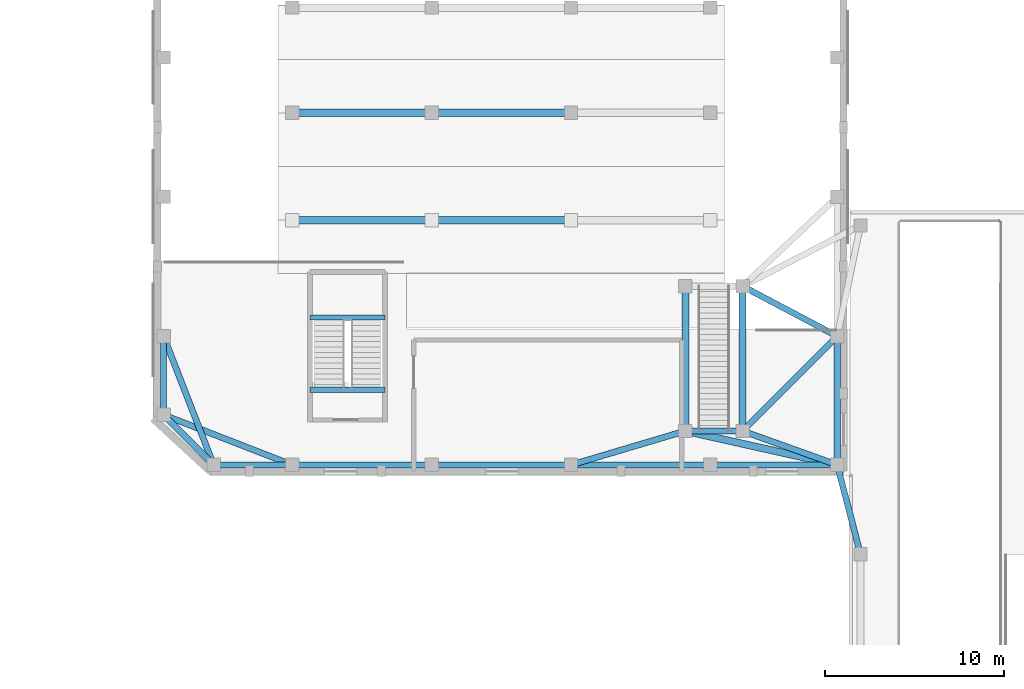
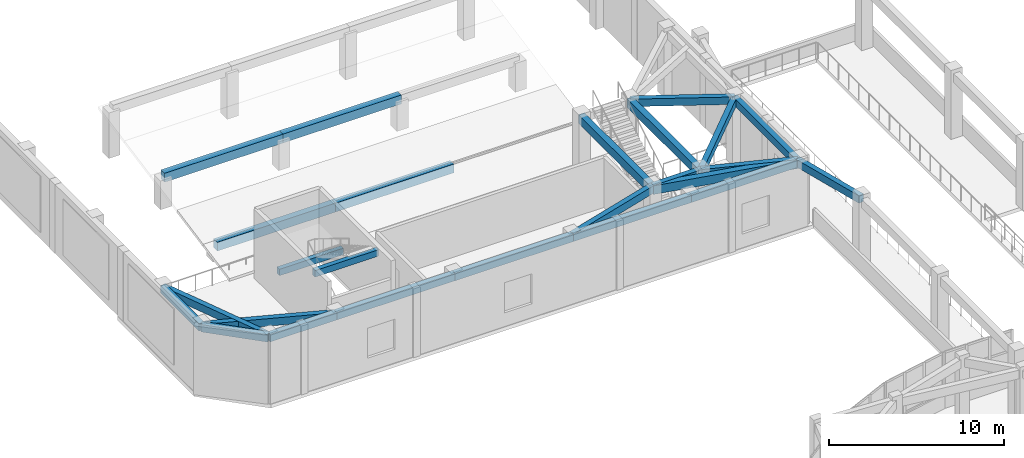
# One storey, part 30 of 98: 25 beams.
"""IFC4 building model written with IfcOpenShell, lengths in metres."""

from ifc_helpers import new_model, si_unit, direction, frame, origin, origin_2d, place, context, subcontext, project, spatial, rectangle, extrude, material, material_profile, profile_set, type_object, element, save


model = new_model("IFC4")

# Units and contexts
model_context = context("Model", 3, precision=1e-05, world=origin(), true_north=direction((0.0, 1.0)))
body_context = subcontext(model_context, "Body", "Model", "MODEL_VIEW")
ifc_project = project(units=[si_unit("LENGTHUNIT", "METRE"), si_unit("AREAUNIT", "SQUARE_METRE"), si_unit("VOLUMEUNIT", "CUBIC_METRE"), si_unit("PLANEANGLEUNIT", "RADIAN"), si_unit("MASSUNIT", "GRAM", prefix="KILO")], contexts=[model_context])

# Site, building, storey
site_placement = place(None, origin())
site = spatial("IfcSite", under=ifc_project, at=site_placement, CompositionType="ELEMENT")
building_placement = place(site_placement, origin())
building = spatial("IfcBuilding", under=site, at=building_placement, Name="Pelvatis Terrace Science Centre", CompositionType="ELEMENT")
storey_placement = place(building_placement, frame((0.0, 0.0, 5.39990234375)))
storey = spatial("IfcBuildingStorey", under=building, at=storey_placement, Name="L01", CompositionType="ELEMENT", Elevation=5.39990234375)

# Beams
ifc_material_1 = material(Name="Concrete C35/45", Category="concrete")
ifc_material_profile_1 = material_profile(ifc_material_1, rectangle(XDim=0.300048828125, YDim=0.449951171875, at=origin_2d()), Name="RC-BM 300x450")
ifc_profile_set_1 = profile_set([ifc_material_profile_1], Name="Concrete C35/45")
beam_type_1 = type_object("IfcBeamType", Name="BM-RC-300x450", PredefinedType="BEAM", material=ifc_profile_set_1)
for number, where, z_axis, x_axis, name in (
    (1, (16.60009765625, 75.0, 4.320068359375), (1.0, 0.0, 0.0), (0.0, 1.0, 0.0), "Stair ST-07 header beam (L01)"),
    (2, (16.60009765625, 79.050048828125, 1.960205078125), (1.0, 0.0, 0.0), (0.0, 1.0, 0.0), "Stair ST-07 half-landing beam (L01)"),
):
    element("IfcBeam", number, at=place(storey_placement, frame(where, z_axis=z_axis, x_axis=x_axis)), inside=storey, type_object=beam_type_1, Name=name, PredefinedType="BEAM", context=body_context, shape_type="SweptSolid", body=[
        extrude(rectangle(XDim=0.300048828125, YDim=0.449951171875, at=origin_2d()), origin(), (0.0, 0.0, 1.0), 4.199951171875),
    ])
ifc_material_2 = material(Name="Concrete C35/45", Category="concrete")
ifc_material_profile_2 = material_profile(ifc_material_2, rectangle(XDim=0.340087890625, YDim=0.52001953125, at=origin_2d()), Name="RC-BM 340x520")
ifc_profile_set_2 = profile_set([ifc_material_profile_2], Name="Concrete C35/45")
beam_type_2 = type_object("IfcBeamType", Name="BM-RC-340x520", PredefinedType="BEAM", material=ifc_profile_set_2)
beam_1_placement = place(storey_placement, frame((11.199951171875, 70.800048828125, 4.280029296875), z_axis=(-0.362453886512, 0.932001706089, 0.0), x_axis=(-0.932001706089, -0.362453886512, 0.0)))
element("IfcBeam", 3, at=beam_1_placement, inside=storey, type_object=beam_type_2, Name="Beam BM-L01-2602", PredefinedType="BEAM", context=body_context, shape_type="SweptSolid", body=[
    extrude(rectangle(XDim=0.340087890625, YDim=0.52001953125, at=origin_2d()), origin(), (0.0, 0.0, 1.0), 7.725341796875),
])
beam_2_placement = place(storey_placement, frame((11.199951171875, 70.800048828125, 4.280029296875), z_axis=(1.0, 0.0, 0.0), x_axis=(0.0, 1.0, 0.0)))
element("IfcBeam", 4, at=beam_2_placement, inside=storey, type_object=beam_type_2, Name="Beam BM-L01-2603", PredefinedType="BEAM", context=body_context, shape_type="SweptSolid", body=[
    extrude(rectangle(XDim=0.340087890625, YDim=0.52001953125, at=origin_2d()), origin(), (0.0, 0.0, 1.0), 4.400146484375),
])
beam_3_placement = place(storey_placement, frame((11.199951171875, 70.800048828125, 4.280029296875), z_axis=(-0.707106781187, 0.707106781187, 0.0), x_axis=(-0.707106781187, -0.707106781187, 0.0)))
element("IfcBeam", 5, at=beam_3_placement, inside=storey, type_object=beam_type_2, Name="Beam BM-L01-2604", PredefinedType="BEAM", context=body_context, shape_type="SweptSolid", body=[
    extrude(rectangle(XDim=0.340087890625, YDim=0.52001953125, at=origin_2d()), origin(), (0.0, 0.0, 1.0), 3.9599609375),
])
beam_4_placement = place(storey_placement, frame((8.39990234375, 78.0, 4.280029296875), z_axis=(0.0, -1.0, 0.0), x_axis=(1.0, 0.0, 0.0)))
element("IfcBeam", 6, at=beam_4_placement, inside=storey, type_object=beam_type_2, Name="Beam BM-L01-2605", PredefinedType="BEAM", context=body_context, shape_type="SweptSolid", body=[
    extrude(rectangle(XDim=0.340087890625, YDim=0.52001953125, at=origin_2d()), origin(), (0.0, 0.0, 1.0), 4.39990234375),
])
beam_5_placement = place(storey_placement, frame((15.60009765625, 70.800048828125, 4.280029296875), z_axis=(1.0, 0.0, 0.0), x_axis=(0.0, 1.0, 0.0)))
element("IfcBeam", 7, at=beam_5_placement, inside=storey, type_object=beam_type_2, Name="Beam BM-L01-2606", PredefinedType="BEAM", context=body_context, shape_type="SweptSolid", body=[
    extrude(rectangle(XDim=0.340087890625, YDim=0.52001953125, at=origin_2d()), origin(), (0.0, 0.0, 1.0), 7.7998046875),
])
beam_6_placement = place(storey_placement, frame((15.60009765625, 70.800048828125, 4.280029296875), z_axis=(-0.93200585767, 0.362443211095, 0.0), x_axis=(-0.362443211095, -0.93200585767, 0.0)))
element("IfcBeam", 8, at=beam_6_placement, inside=storey, type_object=beam_type_2, Name="Beam BM-L01-2607", PredefinedType="BEAM", context=body_context, shape_type="SweptSolid", body=[
    extrude(rectangle(XDim=0.340087890625, YDim=0.52001953125, at=origin_2d()), origin(), (0.0, 0.0, 1.0), 7.7255859375),
])
for number, where, z_axis, x_axis, name in (
    (9, (23.39990234375, 70.800048828125, 4.280029296875), (1.0, 0.0, 0.0), (0.0, 1.0, 0.0), "Beam BM-L01-2608"),
    (10, (31.199951171875, 70.800048828125, 4.280029296875), (1.0, 0.0, 0.0), (0.0, 1.0, 0.0), "Beam BM-L01-2609"),
):
    element("IfcBeam", number, at=place(storey_placement, frame(where, z_axis=z_axis, x_axis=x_axis)), inside=storey, type_object=beam_type_2, Name=name, PredefinedType="BEAM", context=body_context, shape_type="SweptSolid", body=[
        extrude(rectangle(XDim=0.340087890625, YDim=0.52001953125, at=origin_2d()), origin(), (0.0, 0.0, 1.0), 7.800048828125),
    ])
beam_7_placement = place(storey_placement, frame((31.199951171875, 70.800048828125, 4.280029296875), z_axis=(0.958652634066, 0.284578859367, 0.0), x_axis=(-0.284578859367, 0.958652634066, 0.0)))
element("IfcBeam", 11, at=beam_7_placement, inside=storey, type_object=beam_type_2, Name="Beam BM-L01-2610", PredefinedType="BEAM", context=body_context, shape_type="SweptSolid", body=[
    extrude(rectangle(XDim=0.340087890625, YDim=0.52001953125, at=origin_2d()), origin(), (0.0, 0.0, 1.0), 6.67626953125),
])
beam_8_placement = place(storey_placement, frame((39.0, 70.800048828125, 4.280029296875), z_axis=(1.0, 0.0, 0.0), x_axis=(0.0, 1.0, 0.0)))
element("IfcBeam", 12, at=beam_8_placement, inside=storey, type_object=beam_type_2, Name="Beam BM-L01-2611", PredefinedType="BEAM", context=body_context, shape_type="SweptSolid", body=[
    extrude(rectangle(XDim=0.340087890625, YDim=0.52001953125, at=origin_2d()), origin(), (0.0, 0.0, 1.0), 7.10009765625),
])
beam_9_placement = place(storey_placement, frame((46.10009765625, 70.800048828125, 4.280029296875), z_axis=(0.0, 1.0, 0.0), x_axis=(-1.0, 0.0, 0.0)))
element("IfcBeam", 13, at=beam_9_placement, inside=storey, type_object=beam_type_2, Name="Beam BM-L01-2612", PredefinedType="BEAM", context=body_context, shape_type="SweptSolid", body=[
    extrude(rectangle(XDim=0.340087890625, YDim=0.52001953125, at=origin_2d()), origin(), (0.0, 0.0, 1.0), 7.199951171875),
])
beam_10_placement = place(storey_placement, frame((46.10009765625, 70.800048828125, 4.280029296875), z_axis=(0.251598439526, -0.967831713279, 0.0), x_axis=(0.967831713279, 0.251598439526, 0.0)))
element("IfcBeam", 14, at=beam_10_placement, inside=storey, type_object=beam_type_2, Name="Beam BM-L01-2613", PredefinedType="BEAM", context=body_context, shape_type="SweptSolid", body=[
    extrude(rectangle(XDim=0.340087890625, YDim=0.52001953125, at=origin_2d()), origin(), (0.0, 0.0, 1.0), 5.166259765625),
])
beam_11_placement = place(storey_placement, frame((46.10009765625, 70.800048828125, 4.280029296875), z_axis=(-0.941345901444, 0.337443171267, 0.0), x_axis=(-0.337443171267, -0.941345901444, 0.0)))
element("IfcBeam", 15, at=beam_11_placement, inside=storey, type_object=beam_type_2, Name="Beam BM-L01-2615", PredefinedType="BEAM", context=body_context, shape_type="SweptSolid", body=[
    extrude(rectangle(XDim=0.340087890625, YDim=0.52001953125, at=origin_2d()), origin(), (0.0, 0.0, 1.0), 5.63037109375),
])
beam_12_placement = place(storey_placement, frame((46.10009765625, 78.0, 4.280029296875), z_axis=(-0.707106781187, -0.707106781187, 0.0), x_axis=(0.707106781187, -0.707106781187, 0.0)))
element("IfcBeam", 16, at=beam_12_placement, inside=storey, type_object=beam_type_2, Name="Beam BM-L01-2618", PredefinedType="BEAM", context=body_context, shape_type="SweptSolid", body=[
    extrude(rectangle(XDim=0.340087890625, YDim=0.52001953125, at=origin_2d()), origin(), (0.0, 0.0, 1.0), 7.495361328125),
])
beam_13_placement = place(storey_placement, frame((46.10009765625, 78.0, 4.280029296875), z_axis=(-0.884191797067, 0.467124037061, 0.0), x_axis=(-0.467124037061, -0.884191797067, 0.0)))
element("IfcBeam", 17, at=beam_13_placement, inside=storey, type_object=beam_type_2, Name="Beam BM-L01-2619", PredefinedType="BEAM", context=body_context, shape_type="SweptSolid", body=[
    extrude(rectangle(XDim=0.340087890625, YDim=0.52001953125, at=origin_2d()), origin(), (0.0, 0.0, 1.0), 5.994140625),
])
beam_14_placement = place(storey_placement, frame((37.60009765625, 72.699951171875, 4.280029296875), z_axis=(1.0, 0.0, 0.0), x_axis=(0.0, 1.0, 0.0)))
element("IfcBeam", 18, at=beam_14_placement, inside=storey, type_object=beam_type_2, Name="Beam BM-L01-2841", PredefinedType="BEAM", context=body_context, shape_type="SweptSolid", body=[
    extrude(rectangle(XDim=0.340087890625, YDim=0.52001953125, at=origin_2d()), origin(), (0.0, 0.0, 1.0), 3.199951171875),
])
ifc_material_3 = material(Name="Concrete C35/45", Category="concrete")
ifc_material_profile_3 = material_profile(ifc_material_3, rectangle(XDim=0.39990234375, YDim=0.60009765625, at=origin_2d()), Name="RC-BM 400x600")
ifc_profile_set_3 = profile_set([ifc_material_profile_3], Name="Concrete C35/45")
beam_type_3 = type_object("IfcBeamType", Name="BM-RC-400x600", PredefinedType="BEAM", material=ifc_profile_set_3)
beam_15_placement = place(storey_placement, frame((46.10009765625, 70.800048828125, 4.239990234375), z_axis=(-0.975918540379, 0.218135284962, 0.0), x_axis=(-0.218135284962, -0.975918540379, 0.0)))
element("IfcBeam", 19, at=beam_15_placement, inside=storey, type_object=beam_type_3, Name="Beam BM-L01-2614", PredefinedType="BEAM", context=body_context, shape_type="SweptSolid", body=[
    extrude(rectangle(XDim=0.39990234375, YDim=0.60009765625, at=origin_2d()), origin(), (0.0, 0.0, 1.0), 8.709716796875),
])
for number, where, z_axis, x_axis, name in (
    (20, (37.60009765625, 72.699951171875, 4.239990234375), (0.0, 1.0, 0.0), (-1.0, 0.0, 0.0), "Beam BM-L01-2842"),
    (21, (40.800048828125, 72.699951171875, 4.239990234375), (0.0, 1.0, 0.0), (-1.0, 0.0, 0.0), "Beam BM-L01-2843"),
):
    element("IfcBeam", number, at=place(storey_placement, frame(where, z_axis=z_axis, x_axis=x_axis)), inside=storey, type_object=beam_type_3, Name=name, PredefinedType="BEAM", context=body_context, shape_type="SweptSolid", body=[
        extrude(rectangle(XDim=0.39990234375, YDim=0.60009765625, at=origin_2d()), origin(), (0.0, 0.0, 1.0), 8.10009765625),
    ])
ifc_material_4 = material(Name="Concrete C35/45", Category="concrete")
ifc_material_profile_4 = material_profile(ifc_material_4, rectangle(XDim=0.419921875, YDim=0.6201171875, at=origin_2d()), Name="RC-BM 420x620")
ifc_profile_set_4 = profile_set([ifc_material_profile_4], Name="Concrete C35/45")
beam_type_4 = type_object("IfcBeamType", Name="BM-RC-420x620", PredefinedType="BEAM", material=ifc_profile_set_4)
beam_16_placement = place(storey_placement, frame((15.60009765625, 84.5, 0.840087890625), z_axis=(1.0, 0.0, 0.0), x_axis=(0.0, 1.0, 0.0)))
element("IfcBeam", 22, at=beam_16_placement, inside=storey, type_object=beam_type_4, Name="Science Theatre tier support girder 1.1", PredefinedType="BEAM", context=body_context, shape_type="SweptSolid", body=[
    extrude(rectangle(XDim=0.419921875, YDim=0.6201171875, at=origin_2d()), origin(), (0.0, 0.0, 1.0), 7.7998046875),
])
beam_17_placement = place(storey_placement, frame((23.39990234375, 84.5, 0.840087890625), z_axis=(1.0, 0.0, 0.0), x_axis=(0.0, 1.0, 0.0)))
element("IfcBeam", 23, at=beam_17_placement, inside=storey, type_object=beam_type_4, Name="Science Theatre tier support girder 1.2", PredefinedType="BEAM", context=body_context, shape_type="SweptSolid", body=[
    extrude(rectangle(XDim=0.419921875, YDim=0.6201171875, at=origin_2d()), origin(), (0.0, 0.0, 1.0), 7.800048828125),
])
beam_18_placement = place(storey_placement, frame((15.60009765625, 90.5, 2.010009765625), z_axis=(1.0, 0.0, 0.0), x_axis=(0.0, 1.0, 0.0)))
element("IfcBeam", 24, at=beam_18_placement, inside=storey, type_object=beam_type_4, Name="Science Theatre tier support girder 2.1", PredefinedType="BEAM", context=body_context, shape_type="SweptSolid", body=[
    extrude(rectangle(XDim=0.419921875, YDim=0.6201171875, at=origin_2d()), origin(), (0.0, 0.0, 1.0), 7.7998046875),
])
beam_19_placement = place(storey_placement, frame((23.39990234375, 90.5, 2.010009765625), z_axis=(1.0, 0.0, 0.0), x_axis=(0.0, 1.0, 0.0)))
element("IfcBeam", 25, at=beam_19_placement, inside=storey, type_object=beam_type_4, Name="Science Theatre tier support girder 2.2", PredefinedType="BEAM", context=body_context, shape_type="SweptSolid", body=[
    extrude(rectangle(XDim=0.419921875, YDim=0.6201171875, at=origin_2d()), origin(), (0.0, 0.0, 1.0), 7.800048828125),
])

save(model, "model.ifc")
